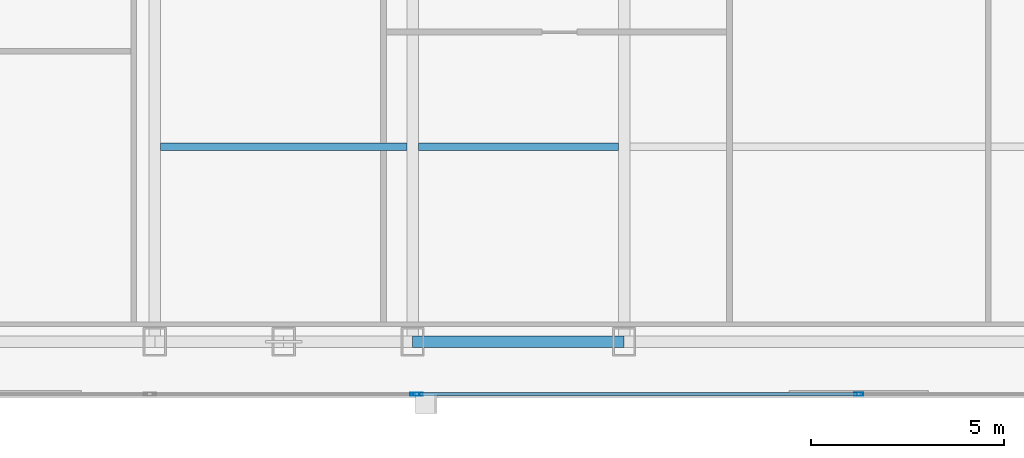
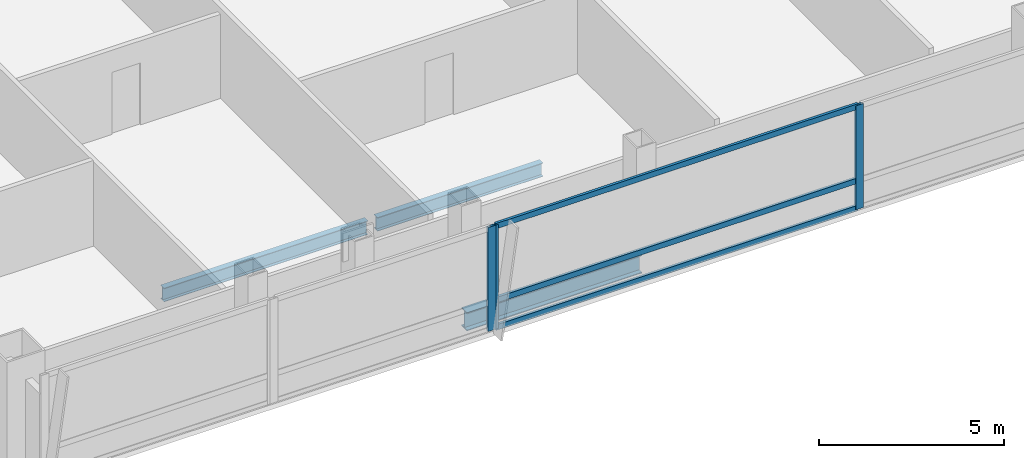
# One storey, part 8 of 30: 6 members, 3 beams, 2 elements without a shape of their own.
"""IFC4 building model written with IfcOpenShell, lengths in metres."""

import ifcopenshell
import ifcopenshell.guid

model = None  # the IFC model being written
_history = None  # IfcOwnerHistory: only IFC2X3 demands one
_inside = {}  # id of a spatial element -> (the spatial element, [elements in it])
_under = {}  # id of a project, library or spatial element -> (it, [spatial elements below it])
_declared = {}  # id of a project -> (the project, [libraries it declares])
_typed = {}  # id of a type object -> (the type object, [elements of that type])
_made_of = {}  # id of a material, layer set ... -> (it, [elements and type objects made of it])


def new_model(schema):
    """Start an empty IFC model of exactly this schema.

    Asked for "IFC4X3", IfcOpenShell would pick the latest addendum, in which some entities
    have other attributes; the version numbers below select the first issue.
    IFC2X3 requires an IfcOwnerHistory on every rooted entity: one is made here for all.
    """
    global model, _history
    if schema == "IFC4X3":
        model = ifcopenshell.file(schema_version=(4, 3, 0, 0))
    else:
        model = ifcopenshell.file(schema=schema)
    _inside.clear()
    _under.clear()
    _declared.clear()
    _typed.clear()
    _made_of.clear()
    _history = None
    if model.schema == "IFC2X3":
        org = make("IfcOrganization", Name="unknown")
        user = make(
            "IfcPersonAndOrganization",
            ThePerson=make("IfcPerson", FamilyName="unknown"),
            TheOrganization=org,
        )
        app = make(
            "IfcApplication",
            ApplicationDeveloper=org,
            Version="unknown",
            ApplicationFullName="unknown",
            ApplicationIdentifier="unknown",
        )
        _history = make(
            "IfcOwnerHistory",
            OwningUser=user,
            OwningApplication=app,
            ChangeAction="ADDED",
            CreationDate=0,
        )
    return model


def make(cls, **values):
    """One entity of the class cls with the attributes given. An attribute that is None is left unset."""
    return model.create_entity(
        cls, **{name: value for name, value in values.items() if value is not None}
    )


def rooted(cls, **values):
    """An entity with a GlobalId (a new one), such as an element, a storey or a relation."""
    return make(cls, GlobalId=ifcopenshell.guid.new(), OwnerHistory=_history, **values)


def si_unit(unit_type, name, prefix=None):
    """IfcSIUnit, for example si_unit("LENGTHUNIT", "METRE", prefix="MILLI")."""
    return make("IfcSIUnit", UnitType=unit_type, Prefix=prefix, Name=name)


def assignment(units):
    """IfcUnitAssignment: the units of a project."""
    return None if units is None else make("IfcUnitAssignment", Units=units)


def point(xyz):
    """IfcCartesianPoint."""
    return None if xyz is None else make("IfcCartesianPoint", Coordinates=xyz)


def direction(xyz):
    """IfcDirection."""
    return None if xyz is None else make("IfcDirection", DirectionRatios=xyz)


def frame(location, z_axis=None, x_axis=None):
    """IfcAxis2Placement3D, a coordinate frame: its origin and axes. An axis left out is left unset."""
    return make(
        "IfcAxis2Placement3D",
        Location=point(location),
        Axis=direction(z_axis),
        RefDirection=direction(x_axis),
    )


def frame_2d(location, x_axis=None):
    """IfcAxis2Placement2D, a coordinate frame in the plane: its origin and x axis."""
    return make(
        "IfcAxis2Placement2D", Location=point(location), RefDirection=direction(x_axis)
    )


def origin():
    """The frame at (0, 0, 0) with its axes left unset."""
    return frame((0.0, 0.0, 0.0))


def origin_2d():
    """The frame at (0, 0) in the plane with its x axis left unset."""
    return frame_2d((0.0, 0.0))


def place(relative_to, where):
    """IfcLocalPlacement: puts the frame where relative to a parent placement (None: the world)."""
    return make(
        "IfcLocalPlacement", PlacementRelTo=relative_to, RelativePlacement=where
    )


def context(
    kind, dimensions, precision=None, world=None, true_north=None, identifier=None
):
    """IfcGeometricRepresentationContext, for example the 3D "Model" context."""
    return make(
        "IfcGeometricRepresentationContext",
        ContextIdentifier=identifier,
        ContextType=kind,
        CoordinateSpaceDimension=dimensions,
        Precision=precision,
        WorldCoordinateSystem=world,
        TrueNorth=true_north,
    )


def subcontext(parent, identifier, kind, view, scale=None):
    """IfcGeometricRepresentationSubContext, for example "Body" below "Model"."""
    return make(
        "IfcGeometricRepresentationSubContext",
        ContextIdentifier=identifier,
        ContextType=kind,
        ParentContext=parent,
        TargetScale=scale,
        TargetView=view,
    )


def project(units=None, contexts=None):
    """IfcProject with its units and contexts."""
    return rooted(
        "IfcProject",
        Name="project",
        RepresentationContexts=contexts,
        UnitsInContext=assignment(units),
    )


def spatial(cls, under=None, at=None, **own):
    """A site, building, storey or space (cls), placed at a placement, below another one or the project."""
    s = rooted(cls, ObjectPlacement=at, **own)
    if under is not None:
        _under.setdefault(under.id(), (under, []))[1].append(s)
    return s


def profile(cls, at=None, kind="AREA", **sizes):
    """A parametric profile (cls). Its sizes go by their IFC names, for example OverallWidth=200.0."""
    return make(cls, ProfileType=kind, Position=at, **sizes)


def hollow_rectangle(**sizes):
    """IfcRectangleHollowProfileDef."""
    return profile("IfcRectangleHollowProfileDef", **sizes)


def i_section(**sizes):
    """IfcIShapeProfileDef."""
    return profile("IfcIShapeProfileDef", **sizes)


def extrude(swept, where, along, depth):
    """IfcExtrudedAreaSolid: the profile swept, set in the frame where, extruded along a direction by depth."""
    return make(
        "IfcExtrudedAreaSolid",
        SweptArea=swept,
        Position=where,
        ExtrudedDirection=direction(along),
        Depth=depth,
    )


def shape(context_of_items, identifier, shape_type, items):
    """IfcShapeRepresentation: the items that make up one representation, for example the "Body"."""
    return make(
        "IfcShapeRepresentation",
        ContextOfItems=context_of_items,
        RepresentationIdentifier=identifier,
        RepresentationType=shape_type,
        Items=items,
    )


def material(Name=None, Category=None):
    """IfcMaterial."""
    return make("IfcMaterial", Name=Name, Category=Category)


def material_profile(
    of_material, cross_section, Name=None, Category=None, Priority=None
):
    """IfcMaterialProfile: a cross section and its material."""
    return make(
        "IfcMaterialProfile",
        Name=Name,
        Material=of_material,
        Profile=cross_section,
        Priority=Priority,
        Category=Category,
    )


def profile_set(profiles, Name=None, composite=None):
    """IfcMaterialProfileSet."""
    return make(
        "IfcMaterialProfileSet",
        Name=Name,
        MaterialProfiles=profiles,
        CompositeProfile=composite,
    )


def made_of(thing, what):
    """Note that an element or type object is made of a material, layer set ...; save() writes the relation."""
    if what is not None:
        _made_of.setdefault(what.id(), (what, []))[1].append(thing)
    return thing


def type_object(cls, material=None, **own):
    """A type object (cls), such as IfcWallType, which elements share."""
    return made_of(rooted(cls, **own), material)


def element(
    cls,
    number,
    at=None,
    inside=None,
    cuts=None,
    type_object=None,
    material=None,
    context=None,
    identifier="Body",
    shape_type=None,
    held_by="IfcProductDefinitionShape",
    body=None,
    shapes=None,
    **own,
):
    """One element of the class cls, such as IfcWall. Its Tag is "e" and its number.

    at: its placement. inside: the storey or other place that contains it. cuts: it is an
    opening in that element (IfcRelVoidsElement). A single representation is given by context,
    identifier, shape_type and body (its items); several are given by shapes. held_by: the class
    of the entity that holds the representations. save() writes the other relations.
    """
    e = rooted(cls, Tag="e%d" % number, ObjectPlacement=at, **own)
    if body is not None:
        shapes = [shape(context, identifier, shape_type, body)]
    if shapes is not None:
        e.Representation = make(held_by, Representations=shapes)
    if inside is not None:
        _inside.setdefault(inside.id(), (inside, []))[1].append(e)
    if cuts is not None:
        rooted(
            "IfcRelVoidsElement", RelatingBuildingElement=cuts, RelatedOpeningElement=e
        )
    if type_object is not None:
        _typed.setdefault(type_object.id(), (type_object, []))[1].append(e)
    return made_of(e, material)


def aggregate(whole, parts):
    """IfcRelAggregates: a whole, such as a stair, and the parts it consists of."""
    return rooted("IfcRelAggregates", RelatingObject=whole, RelatedObjects=parts)


def save(model, path):
    """Write the relations noted so far, then the file.

    IfcRelAggregates (storeys below a building ...), IfcRelContainedInSpatialStructure (elements
    in a storey), IfcRelDefinesByType, IfcRelAssociatesMaterial and IfcRelDeclares: one each for
    every whole, place, type object, material and project.
    """
    for whole, parts in _under.values():
        aggregate(whole, parts)
    for where, things in _inside.values():
        rooted(
            "IfcRelContainedInSpatialStructure",
            RelatedElements=things,
            RelatingStructure=where,
        )
    for kind, things in _typed.values():
        rooted("IfcRelDefinesByType", RelatedObjects=things, RelatingType=kind)
    for what, things in _made_of.values():
        rooted("IfcRelAssociatesMaterial", RelatedObjects=things, RelatingMaterial=what)
    for by, libraries in _declared.values():
        rooted("IfcRelDeclares", RelatingContext=by, RelatedDefinitions=libraries)
    model.write(path)


model = new_model("IFC4")

# Units and contexts
model_context = context("Model", 3, precision=1e-05, world=origin(), true_north=direction((0.0, 1.0)))
body_context = subcontext(model_context, "Body", "Model", "MODEL_VIEW")
ifc_project = project(units=[si_unit("LENGTHUNIT", "METRE"), si_unit("AREAUNIT", "SQUARE_METRE"), si_unit("VOLUMEUNIT", "CUBIC_METRE"), si_unit("PLANEANGLEUNIT", "RADIAN"), si_unit("MASSUNIT", "GRAM", prefix="KILO")], contexts=[model_context])

# Site, building, storey
site_placement = place(None, origin())
site = spatial("IfcSite", under=ifc_project, at=site_placement, CompositionType="ELEMENT")
building_placement = place(site_placement, origin())
building = spatial("IfcBuilding", under=site, at=building_placement, Name="Khoronbel Lancet Exchange", CompositionType="ELEMENT")
storey_placement = place(building_placement, frame((0.0, 0.0, 217.39990234375)))
storey = spatial("IfcBuildingStorey", under=building, at=storey_placement, Name="L55", CompositionType="ELEMENT", Elevation=217.39990234375)

# Beams
ifc_material_1 = material(Name="Steel S355", Category="steel")
ifc_material_profile_1 = material_profile(ifc_material_1, i_section(OverallWidth=0.18994140625, OverallDepth=0.449951171875, WebThickness=0.009521484375, FlangeThickness=0.0146484375, at=origin_2d()), Name="IPE 450")
ifc_profile_set_1 = profile_set([ifc_material_profile_1], Name="Steel S355")
beam_type_1 = type_object("IfcBeamType", Name="BM-BJ4", PredefinedType="JOIST", material=ifc_profile_set_1)
beam_1_placement = place(storey_placement, frame((18.375, 15.199951171875, -0.385009765625), z_axis=(1.0, 0.0, 0.0), x_axis=(0.0, 1.0, 0.0)))
element("IfcBeam", 1, at=beam_1_placement, inside=storey, type_object=beam_type_1, Name="Level L55 secondary composite joist J01", PredefinedType="JOIST", context=body_context, shape_type="SweptSolid", body=[
    extrude(i_section(OverallWidth=0.18994140625, OverallDepth=0.449951171875, WebThickness=0.009521484375, FlangeThickness=0.0146484375, at=origin_2d()), origin(), (0.0, 0.0, 1.0), 6.375),
])
beam_2_placement = place(storey_placement, frame((25.050048828125, 15.199951171875, -0.385009765625), z_axis=(1.0, 0.0, 0.0), x_axis=(0.0, 1.0, 0.0)))
element("IfcBeam", 2, at=beam_2_placement, inside=storey, type_object=beam_type_1, Name="Level L55 secondary composite joist J02", PredefinedType="JOIST", context=body_context, shape_type="SweptSolid", body=[
    extrude(i_section(OverallWidth=0.18994140625, OverallDepth=0.449951171875, WebThickness=0.009521484375, FlangeThickness=0.0146484375, at=origin_2d()), origin(), (0.0, 0.0, 1.0), 5.175048828125),
])
ifc_material_profile_2 = material_profile(ifc_material_1, i_section(OverallWidth=0.300048828125, OverallDepth=0.60009765625, WebThickness=0.015380859375, FlangeThickness=0.030029296875, at=origin_2d()), Name="HEB 600")
ifc_profile_set_2 = profile_set([ifc_material_profile_2], Name="Steel S355")
beam_type_2 = type_object("IfcBeamType", Name="BM-BSP2", PredefinedType="SPANDREL", material=ifc_profile_set_2)
beam_3_placement = place(storey_placement, frame((24.89990234375, 10.14990234375, -0.4599609375), z_axis=(1.0, 0.0, 0.0), x_axis=(0.0, 1.0, 0.0)))
element("IfcBeam", 3, at=beam_3_placement, inside=storey, type_object=beam_type_2, Name="Level L55 perimeter spandrel beam SP04", PredefinedType="SPANDREL", context=body_context, shape_type="SweptSolid", body=[
    extrude(i_section(OverallWidth=0.300048828125, OverallDepth=0.60009765625, WebThickness=0.015380859375, FlangeThickness=0.030029296875, at=origin_2d()), origin(), (0.0, 0.0, 1.0), 5.47509765625),
])

# Curtain wall, member
ifc_material_2 = material(Name="Low-E Solar Control Insulating Glass", Category="glass")
curtain_wall_type = type_object("IfcCurtainWallType", Name="CW-3", PredefinedType="NOTDEFINED", material=ifc_material_2)
curtain_wall_1_placement = place(storey_placement, origin())
curtain_wall_1 = element("IfcCurtainWall", 4, at=curtain_wall_1_placement, inside=storey, type_object=curtain_wall_type, Name="Unitised curtain wall CW-L55-SWB", PredefinedType="NOTDEFINED")
ifc_material_3 = material(Name="Bronze-Anodised Aluminium 6063-T6", Category="aluminium")
ifc_material_profile_3 = material_profile(ifc_material_3, hollow_rectangle(XDim=0.0849609375, YDim=0.239990234375, WallThickness=0.006103515625, at=origin_2d()), Name="ALU MULLION 85x240")
ifc_profile_set_3 = profile_set([ifc_material_profile_3], Name="Bronze-Anodised Aluminium 6063-T6")
member_type_1 = type_object("IfcMemberType", Name="MEM-CWM1", PredefinedType="MULLION", material=ifc_profile_set_3)
member_1_placement = place(storey_placement, frame((24.95751953125, 8.7900390625, 0.0), z_axis=(0.0, 0.0, 1.0), x_axis=(0.0, 1.0, 0.0)))
member_1 = element("IfcMember", 5, at=member_1_placement, type_object=member_type_1, Name="CW3 mullion 2", PredefinedType="MULLION", context=body_context, shape_type="SweptSolid", body=[
    extrude(hollow_rectangle(XDim=0.0849609375, YDim=0.239990234375, WallThickness=0.006103515625, at=origin_2d()), origin(), (0.0, 0.0, 1.0), 3.440185546875),
])
aggregate(curtain_wall_1, [member_1])

# Curtain wall, members
curtain_wall_2_placement = place(storey_placement, origin())
curtain_wall_2 = element("IfcCurtainWall", 6, at=curtain_wall_2_placement, inside=storey, type_object=curtain_wall_type, Name="Unitised curtain wall CW-L55-SCV", PredefinedType="NOTDEFINED")
member_2_placement = place(storey_placement, frame((25.04248046875, 8.7900390625, 0.0), z_axis=(0.0, 0.0, 1.0), x_axis=(0.0, 1.0, 0.0)))
member_2 = element("IfcMember", 7, at=member_2_placement, type_object=member_type_1, Name="CW3 mullion 1", PredefinedType="MULLION", context=body_context, shape_type="SweptSolid", body=[
    extrude(hollow_rectangle(XDim=0.0849609375, YDim=0.239990234375, WallThickness=0.006103515625, at=origin_2d()), origin(), (0.0, 0.0, 1.0), 3.440185546875),
])
member_3_placement = place(storey_placement, frame((36.449951171875, 8.7900390625, 0.0), z_axis=(0.0, 0.0, 1.0), x_axis=(0.0, 1.0, 0.0)))
member_3 = element("IfcMember", 8, at=member_3_placement, type_object=member_type_1, Name="CW3 mullion 2", PredefinedType="MULLION", context=body_context, shape_type="SweptSolid", body=[
    extrude(hollow_rectangle(XDim=0.0849609375, YDim=0.239990234375, WallThickness=0.006103515625, at=origin_2d()), origin(), (0.0, 0.0, 1.0), 3.440185546875),
])
ifc_material_profile_4 = material_profile(ifc_material_3, hollow_rectangle(XDim=0.0849609375, YDim=0.179931640625, WallThickness=0.0048828125, at=origin_2d()), Name="ALU TRANSOM 85x180")
ifc_profile_set_4 = profile_set([ifc_material_profile_4], Name="Bronze-Anodised Aluminium 6063-T6")
member_type_2 = type_object("IfcMemberType", Name="MEM-CWT1", PredefinedType="USERDEFINED", material=ifc_profile_set_4)
member_4_placement = place(storey_placement, frame((25.0849609375, 8.7900390625, 0.04248046875), z_axis=(1.0, 0.0, 0.0), x_axis=(0.0, 1.0, 0.0)))
member_4 = element("IfcMember", 9, at=member_4_placement, type_object=member_type_2, Name="CW3 transom 1.1", ObjectType="TRANSOM", PredefinedType="USERDEFINED", context=body_context, shape_type="SweptSolid", body=[
    extrude(hollow_rectangle(XDim=0.0849609375, YDim=0.179931640625, WallThickness=0.0048828125, at=origin_2d()), origin(), (0.0, 0.0, 1.0), 11.322509765625),
])
member_5_placement = place(storey_placement, frame((25.0849609375, 8.7900390625, 0.9501953125), z_axis=(1.0, 0.0, 0.0), x_axis=(0.0, 1.0, 0.0)))
member_5 = element("IfcMember", 10, at=member_5_placement, type_object=member_type_2, Name="CW3 transom 1.2", ObjectType="TRANSOM", PredefinedType="USERDEFINED", context=body_context, shape_type="SweptSolid", body=[
    extrude(hollow_rectangle(XDim=0.0849609375, YDim=0.179931640625, WallThickness=0.0048828125, at=origin_2d()), origin(), (0.0, 0.0, 1.0), 11.322509765625),
])
member_6_placement = place(storey_placement, frame((25.0849609375, 8.7900390625, 3.397705078125), z_axis=(1.0, 0.0, 0.0), x_axis=(0.0, 1.0, 0.0)))
member_6 = element("IfcMember", 11, at=member_6_placement, type_object=member_type_2, Name="CW3 transom 1.3", ObjectType="TRANSOM", PredefinedType="USERDEFINED", context=body_context, shape_type="SweptSolid", body=[
    extrude(hollow_rectangle(XDim=0.0849609375, YDim=0.179931640625, WallThickness=0.0048828125, at=origin_2d()), origin(), (0.0, 0.0, 1.0), 11.322509765625),
])
aggregate(curtain_wall_2, [member_2, member_3, member_4, member_5, member_6])

save(model, "model.ifc")
